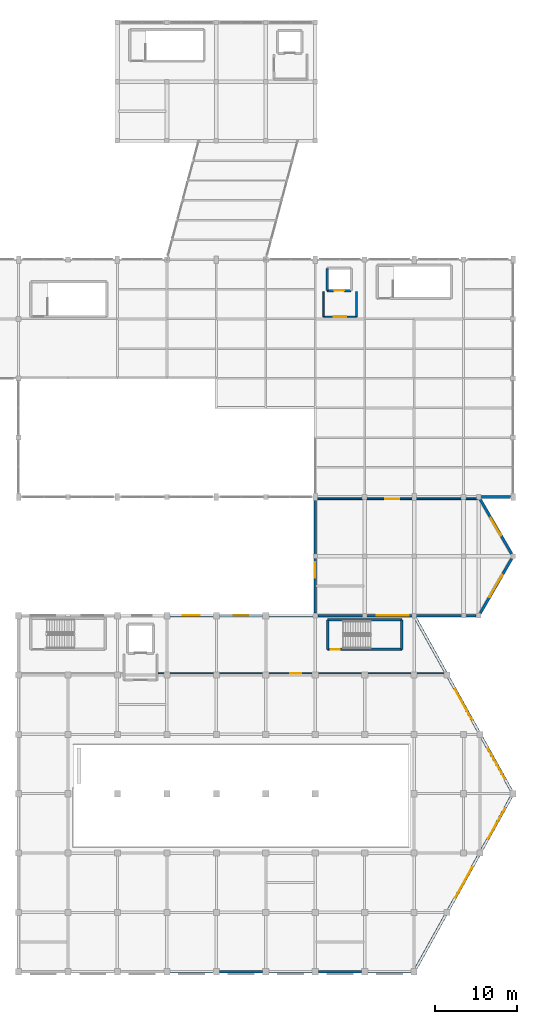
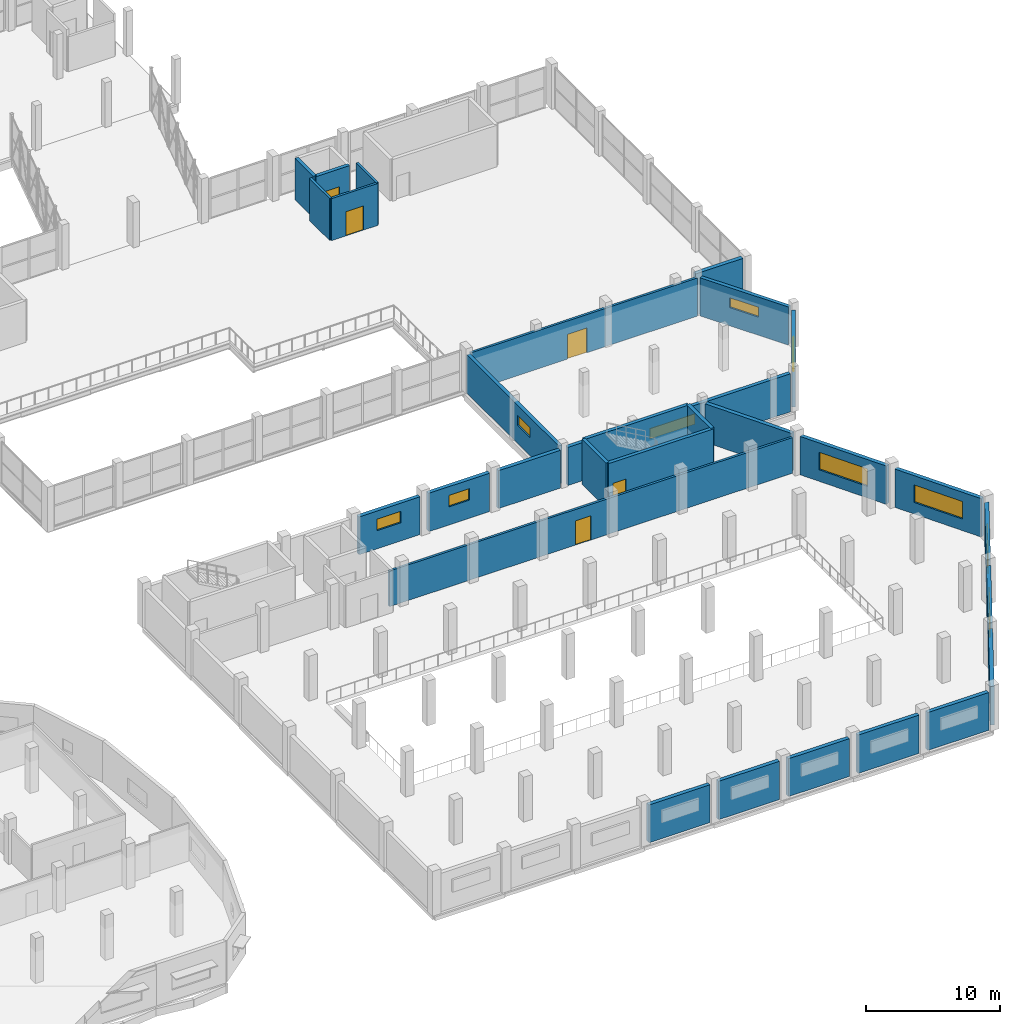
# One storey, part 111 of 127: 30 walls, 10 windows, 5 doors, 15 openings.
"""IFC4 building model written with IfcOpenShell, lengths in metres."""

from ifc_helpers import new_model, si_unit, direction, frame, frame_2d, origin, place, context, subcontext, project, spatial, rectangle, extrude, material, layer, layer_set, type_object, element, fill, save


model = new_model("IFC4")

# Units and contexts
model_context = context("Model", 3, precision=1e-05, world=origin(), true_north=direction((0.0, 1.0)))
body_context = subcontext(model_context, "Body", "Model", "MODEL_VIEW")
ifc_project = project(units=[si_unit("LENGTHUNIT", "METRE"), si_unit("AREAUNIT", "SQUARE_METRE"), si_unit("VOLUMEUNIT", "CUBIC_METRE"), si_unit("PLANEANGLEUNIT", "RADIAN"), si_unit("MASSUNIT", "GRAM", prefix="KILO")], contexts=[model_context])

# Site, building, storey
site_placement = place(None, origin())
site = spatial("IfcSite", under=ifc_project, at=site_placement, CompositionType="ELEMENT")
building_placement = place(site_placement, origin())
building = spatial("IfcBuilding", under=site, at=building_placement, Name="Dunvalen Ferry Terminal", CompositionType="ELEMENT")
storey_placement = place(building_placement, frame((0.0, 0.0, 5.760009765625)))
storey = spatial("IfcBuildingStorey", under=building, at=storey_placement, Name="L01", CompositionType="ELEMENT", Elevation=5.760009765625)

# Wall, opening, window
ifc_material_1 = material(Name="Precast concrete C40/50", Category="concrete")
ifc_layer_1 = layer(ifc_material_1, 0.31005859375, Name="Precast concrete C40/50")
ifc_layer_set_1 = layer_set([ifc_layer_1], Name="Precast concrete C40/50")
wall_type_1 = type_object("IfcWallType", Name="ENV-WL-ANX310", PredefinedType="SOLIDWALL", material=ifc_layer_set_1)
wall_1_placement = place(storey_placement, frame((144.35009765625, 43.199951171875, 0.0), z_axis=(0.0, 0.0, 1.0), x_axis=(1.0, 0.0, 0.0)))
wall_1 = element("IfcWall", 1, at=wall_1_placement, inside=storey, type_object=wall_type_1, Name="L01 V2ASE Faceted Precast Wall 01", PredefinedType="SOLIDWALL", context=body_context, shape_type="SweptSolid", body=[
    extrude(rectangle(XDim=19.14306640625, YDim=0.31005859375, at=frame_2d((9.571533203125, 0.0))), origin(), (0.0, 0.0, 1.0), 3.469970703125),
])
opening_1_placement = place(wall_1_placement, frame((7.121337890625, 0.0, 1.64990234375)))
opening_1 = element("IfcOpeningElement", 2, at=opening_1_placement, cuts=wall_1, Name="Opening W-13", PredefinedType="OPENING", context=body_context, shape_type="SweptSolid", body=[
    extrude(rectangle(XDim=3.89990234375, YDim=0.949951171875, at=frame_2d((1.949951171875, 0.47509765625))), frame((0.0, 0.1650390625, 0.0), z_axis=(0.0, -1.0, 0.0), x_axis=(1.0, 0.0, 0.0)), (0.0, 0.0, 1.0), 0.330078125),
])
ifc_material_2 = material(Name="Thermally broken aluminium and double glazing", Category="aluminium")
window_type_1 = type_object("IfcWindowType", Name="ENV-WIN-CLR-13", PartitioningType="SINGLE_PANEL", PredefinedType="WINDOW", material=ifc_material_2)
window_1_placement = place(opening_1_placement, origin())
window_1 = element("IfcWindow", 3, at=window_1_placement, inside=storey, type_object=window_type_1, Name="L01 V2ASE Clerestory Window 01", OverallHeight=0.949951171875, OverallWidth=3.89990234375, PartitioningType="SINGLE_PANEL", PredefinedType="WINDOW", context=body_context, shape_type="SweptSolid", body=[
    extrude(rectangle(XDim=3.89990234375, YDim=0.949951171875, at=frame_2d((1.949951171875, 0.47509765625))), frame((0.0, 0.030029296875, 0.0), z_axis=(0.0, -1.0, 0.0), x_axis=(1.0, 0.0, 0.0)), (0.0, 0.0, 1.0), 0.06005859375),
])
fill(opening_1, window_1)

wall_2_placement = place(storey_placement, frame((164.01806640625, 43.503173828125, 0.0), z_axis=(0.0, 0.0, 1.0), x_axis=(0.499998170572, 0.866026460002, 0.0)))
wall_2 = element("IfcWall", 4, at=wall_2_placement, inside=storey, type_object=wall_type_1, Name="L01 V2ASE Faceted Precast Wall 02", PredefinedType="SOLIDWALL", context=body_context, shape_type="SweptSolid", body=[
    extrude(rectangle(XDim=7.61376953125, YDim=0.31005859375, at=frame_2d((3.806884765625, 0.0))), origin(), (0.0, 0.0, 1.0), 3.469970703125),
])
opening_2_placement = place(wall_2_placement, frame((2.2568359375, 0.0, 1.64990234375)))
opening_2 = element("IfcOpeningElement", 5, at=opening_2_placement, cuts=wall_2, Name="Opening W-14", PredefinedType="OPENING", context=body_context, shape_type="SweptSolid", body=[
    extrude(rectangle(XDim=3.10009765625, YDim=0.949951171875, at=frame_2d((1.550048828125, 0.47509765625))), frame((0.0, 0.1650390625, 0.0), z_axis=(0.0, -1.0, 0.0), x_axis=(1.0, 0.0, 0.0)), (0.0, 0.0, 1.0), 0.330078125),
])
window_type_2 = type_object("IfcWindowType", Name="ENV-WIN-CLR-14", PartitioningType="SINGLE_PANEL", PredefinedType="WINDOW", material=ifc_material_2)
window_2_placement = place(opening_2_placement, origin())
window_2 = element("IfcWindow", 6, at=window_2_placement, inside=storey, type_object=window_type_2, Name="L01 V2ASE Clerestory Window 02", OverallHeight=0.949951171875, OverallWidth=3.10009765625, PartitioningType="SINGLE_PANEL", PredefinedType="WINDOW", context=body_context, shape_type="SweptSolid", body=[
    extrude(rectangle(XDim=3.10009765625, YDim=0.949951171875, at=frame_2d((1.550048828125, 0.47509765625))), frame((0.0, 0.030029296875, 0.0), z_axis=(0.0, -1.0, 0.0), x_axis=(1.0, 0.0, 0.0)), (0.0, 0.0, 1.0), 0.06005859375),
])
fill(opening_2, window_2)

wall_3_placement = place(storey_placement, frame((167.824951171875, 50.703125, 0.0), z_axis=(0.0, 0.0, 1.0), x_axis=(-0.499998170572, 0.866026460002, 0.0)))
wall_3 = element("IfcWall", 7, at=wall_3_placement, inside=storey, type_object=wall_type_1, Name="L01 V2ASE Faceted Precast Wall 03", PredefinedType="SOLIDWALL", context=body_context, shape_type="SweptSolid", body=[
    extrude(rectangle(XDim=7.61376953125, YDim=0.31005859375, at=frame_2d((3.806884765625, 0.0))), origin(), (0.0, 0.0, 1.0), 3.469970703125),
])
opening_3_placement = place(wall_3_placement, frame((2.556884765625, 0.0, 1.64990234375)))
opening_3 = element("IfcOpeningElement", 8, at=opening_3_placement, cuts=wall_3, Name="Opening W-15", PredefinedType="OPENING", context=body_context, shape_type="SweptSolid", body=[
    extrude(rectangle(XDim=2.5, YDim=0.89990234375, at=frame_2d((1.25, 0.449951171875))), frame((0.0, 0.1650390625, 0.0), z_axis=(0.0, -1.0, 0.0), x_axis=(1.0, 0.0, 0.0)), (0.0, 0.0, 1.0), 0.330078125),
])
window_type_3 = type_object("IfcWindowType", Name="ENV-WIN-CLR-15", PartitioningType="SINGLE_PANEL", PredefinedType="WINDOW", material=ifc_material_2)
window_3_placement = place(opening_3_placement, origin())
window_3 = element("IfcWindow", 9, at=window_3_placement, inside=storey, type_object=window_type_3, Name="L01 V2ASE Clerestory Window 03", OverallHeight=0.89990234375, OverallWidth=2.5, PartitioningType="SINGLE_PANEL", PredefinedType="WINDOW", context=body_context, shape_type="SweptSolid", body=[
    extrude(rectangle(XDim=2.5, YDim=0.89990234375, at=frame_2d((1.25, 0.449951171875))), frame((0.0, 0.030029296875, 0.0), z_axis=(0.0, -1.0, 0.0), x_axis=(1.0, 0.0, 0.0)), (0.0, 0.0, 1.0), 0.06005859375),
])
fill(opening_3, window_3)

wall_4_placement = place(storey_placement, frame((144.0, 57.25, 0.0), z_axis=(0.0, 0.0, 1.0), x_axis=(0.0, -1.0, 0.0)))
wall_4 = element("IfcWall", 10, at=wall_4_placement, inside=storey, type_object=wall_type_1, Name="L01 V2ASE Faceted Precast Wall 05", PredefinedType="SOLIDWALL", context=body_context, shape_type="SweptSolid", body=[
    extrude(rectangle(XDim=13.699951171875, YDim=0.31005859375, at=frame_2d((6.85009765625, 0.0))), origin(), (0.0, 0.0, 1.0), 3.469970703125),
])
opening_4_placement = place(wall_4_placement, frame((7.558837890625, 0.0, 1.64990234375)))
opening_4 = element("IfcOpeningElement", 11, at=opening_4_placement, cuts=wall_4, Name="Opening W-16", PredefinedType="OPENING", context=body_context, shape_type="SweptSolid", body=[
    extrude(rectangle(XDim=1.89990234375, YDim=0.89990234375, at=frame_2d((0.949951171875, 0.449951171875))), frame((0.0, 0.1650390625, 0.0), z_axis=(0.0, -1.0, 0.0), x_axis=(1.0, 0.0, 0.0)), (0.0, 0.0, 1.0), 0.330078125),
])
window_type_4 = type_object("IfcWindowType", Name="ENV-WIN-CLR-16", PartitioningType="SINGLE_PANEL", PredefinedType="WINDOW", material=ifc_material_2)
window_4_placement = place(opening_4_placement, origin())
window_4 = element("IfcWindow", 12, at=window_4_placement, inside=storey, type_object=window_type_4, Name="L01 V2ASE Clerestory Window 05", OverallHeight=0.89990234375, OverallWidth=1.89990234375, PartitioningType="SINGLE_PANEL", PredefinedType="WINDOW", context=body_context, shape_type="SweptSolid", body=[
    extrude(rectangle(XDim=1.89990234375, YDim=0.89990234375, at=frame_2d((0.949951171875, 0.449951171875))), frame((0.0, 0.030029296875, 0.0), z_axis=(0.0, -1.0, 0.0), x_axis=(1.0, 0.0, 0.0)), (0.0, 0.0, 1.0), 0.06005859375),
])
fill(opening_4, window_4)

# Walls
ifc_layer_2 = layer(ifc_material_1, 0.340087890625, Name="Precast concrete C40/50")
ifc_layer_set_2 = layer_set([ifc_layer_2], Name="Precast concrete C40/50")
wall_type_2 = type_object("IfcWallType", Name="ENV-WL-SPN340", PredefinedType="SOLIDWALL", material=ifc_layer_set_2)
wall_5_placement = place(storey_placement, frame((163.64990234375, 57.60009765625, 0.0), z_axis=(0.0, 0.0, 1.0), x_axis=(1.0, 0.0, 0.0)))
element("IfcWall", 13, at=wall_5_placement, inside=storey, type_object=wall_type_2, Name="L01 Arrivals Mezzanine South-East Spandrel Closure Wall", PredefinedType="SOLIDWALL", context=body_context, shape_type="SweptSolid", body=[
    extrude(rectangle(XDim=4.070068359375, YDim=0.340087890625, at=frame_2d((2.03515625, 0.0))), origin(), (0.0, 0.0, 1.0), 3.760009765625),
])
ifc_material_3 = material(Name="Concrete C40/50", Category="concrete")
ifc_layer_3 = layer(ifc_material_3, 0.330078125, Name="Concrete C40/50")
ifc_layer_set_3 = layer_set([ifc_layer_3], Name="Concrete C40/50")
wall_type_3 = type_object("IfcWallType", Name="ENV-WL-VEH330", PredefinedType="SOLIDWALL", material=ifc_layer_set_3)
wall_6_placement = place(storey_placement, frame((126.376953125, 0.0, 0.0), z_axis=(0.0, 0.0, 1.0), x_axis=(1.0, 0.0, 0.0)))
element("IfcWall", 14, at=wall_6_placement, inside=storey, type_object=wall_type_3, Name="L01 Vehicle Marshalling South Portal Wall 04", PredefinedType="SOLIDWALL", context=body_context, shape_type="SweptSolid", body=[
    extrude(rectangle(XDim=5.24609375, YDim=0.330078125, at=frame_2d((2.623046875, 0.0))), origin(), (0.0, 0.0, 1.0), 3.43994140625),
])
wall_7_placement = place(storey_placement, frame((132.376953125, 0.0, 0.0), z_axis=(0.0, 0.0, 1.0), x_axis=(1.0, 0.0, 0.0)))
element("IfcWall", 15, at=wall_7_placement, inside=storey, type_object=wall_type_3, Name="L01 Vehicle Marshalling South Portal Wall 05", PredefinedType="SOLIDWALL", context=body_context, shape_type="SweptSolid", body=[
    extrude(rectangle(XDim=5.24609375, YDim=0.330078125, at=frame_2d((2.623046875, 0.0))), origin(), (0.0, 0.0, 1.0), 3.489990234375),
])
wall_8_placement = place(storey_placement, frame((138.376953125, 0.0, 0.0), z_axis=(0.0, 0.0, 1.0), x_axis=(1.0, 0.0, 0.0)))
element("IfcWall", 16, at=wall_8_placement, inside=storey, type_object=wall_type_3, Name="L01 Vehicle Marshalling South Portal Wall 06", PredefinedType="SOLIDWALL", context=body_context, shape_type="SweptSolid", body=[
    extrude(rectangle(XDim=5.24609375, YDim=0.330078125, at=frame_2d((2.623046875, 0.0))), origin(), (0.0, 0.0, 1.0), 3.43994140625),
])
wall_9_placement = place(storey_placement, frame((144.376953125, 0.0, 0.0), z_axis=(0.0, 0.0, 1.0), x_axis=(1.0, 0.0, 0.0)))
element("IfcWall", 17, at=wall_9_placement, inside=storey, type_object=wall_type_3, Name="L01 Vehicle Marshalling South Portal Wall 07", PredefinedType="SOLIDWALL", context=body_context, shape_type="SweptSolid", body=[
    extrude(rectangle(XDim=5.24609375, YDim=0.330078125, at=frame_2d((2.623046875, 0.0))), origin(), (0.0, 0.0, 1.0), 3.489990234375),
])
wall_10_placement = place(storey_placement, frame((150.376953125, 0.0, 0.0), z_axis=(0.0, 0.0, 1.0), x_axis=(1.0, 0.0, 0.0)))
element("IfcWall", 18, at=wall_10_placement, inside=storey, type_object=wall_type_3, Name="L01 Vehicle Marshalling South Portal Wall 08", PredefinedType="SOLIDWALL", context=body_context, shape_type="SweptSolid", body=[
    extrude(rectangle(XDim=5.24609375, YDim=0.330078125, at=frame_2d((2.623046875, 0.0))), origin(), (0.0, 0.0, 1.0), 3.43994140625),
])
wall_11_placement = place(storey_placement, frame((156.1748046875, 0.314697265625, 0.0), z_axis=(0.0, 0.0, 1.0), x_axis=(0.485651204539, 0.874152679759, 0.0)))
element("IfcWall", 19, at=wall_11_placement, inside=storey, type_object=wall_type_3, Name="L01 Hexagon-Cut Service Wing East Facet Wall 01", PredefinedType="SOLIDWALL", context=body_context, shape_type="SweptSolid", body=[
    extrude(rectangle(XDim=7.5166015625, YDim=0.330078125, at=frame_2d((3.75830078125, 0.0))), origin(), (0.0, 0.0, 1.0), 3.489990234375),
])

# Wall, opening, window
wall_12_placement = place(storey_placement, frame((160.1748046875, 7.5146484375, 0.0), z_axis=(0.0, 0.0, 1.0), x_axis=(0.485651204539, 0.874152679759, 0.0)))
wall_12 = element("IfcWall", 20, at=wall_12_placement, inside=storey, type_object=wall_type_3, Name="L01 Hexagon-Cut Service Wing East Facet Wall 02", PredefinedType="SOLIDWALL", context=body_context, shape_type="SweptSolid", body=[
    extrude(rectangle(XDim=7.5166015625, YDim=0.330078125, at=frame_2d((3.75830078125, 0.0))), origin(), (0.0, 0.0, 1.0), 3.489990234375),
])
opening_5_placement = place(wall_12_placement, frame((1.658203125, 0.0, 1.050048828125)))
opening_5 = element("IfcOpeningElement", 21, at=opening_5_placement, cuts=wall_12, Name="Opening W-01", PredefinedType="OPENING", context=body_context, shape_type="SweptSolid", body=[
    extrude(rectangle(XDim=4.199951171875, YDim=1.60009765625, at=frame_2d((2.10009765625, 0.800048828125))), frame((0.0, 0.175048828125, 0.0), z_axis=(0.0, -1.0, 0.0), x_axis=(1.0, 0.0, 0.0)), (0.0, 0.0, 1.0), 0.35009765625),
])
window_type_5 = type_object("IfcWindowType", Name="ENV-WIN-RIB-01", PartitioningType="SINGLE_PANEL", PredefinedType="WINDOW", material=ifc_material_2)
window_5_placement = place(opening_5_placement, origin())
window_5 = element("IfcWindow", 22, at=window_5_placement, inside=storey, type_object=window_type_5, Name="L01 Hexagon-Cut Service Wing Window 02", OverallHeight=1.60009765625, OverallWidth=4.199951171875, PartitioningType="SINGLE_PANEL", PredefinedType="WINDOW", context=body_context, shape_type="SweptSolid", body=[
    extrude(rectangle(XDim=4.199951171875, YDim=1.60009765625, at=frame_2d((2.10009765625, 0.800048828125))), frame((0.0, 0.030029296875, 0.0), z_axis=(0.0, -1.0, 0.0), x_axis=(1.0, 0.0, 0.0)), (0.0, 0.0, 1.0), 0.06005859375),
])
fill(opening_5, window_5)

wall_13_placement = place(storey_placement, frame((164.1748046875, 14.714599609375, 0.0), z_axis=(0.0, 0.0, 1.0), x_axis=(0.485637415738, 0.874160340233, 0.0)))
wall_13 = element("IfcWall", 23, at=wall_13_placement, inside=storey, type_object=wall_type_3, Name="L01 Hexagon-Cut Service Wing East Facet Wall 03", PredefinedType="SOLIDWALL", context=body_context, shape_type="SweptSolid", body=[
    extrude(rectangle(XDim=7.5166015625, YDim=0.330078125, at=frame_2d((3.75830078125, 0.0))), origin(), (0.0, 0.0, 1.0), 3.489990234375),
])
opening_6_placement = place(wall_13_placement, frame((1.658203125, 0.0, 1.050048828125)))
opening_6 = element("IfcOpeningElement", 24, at=opening_6_placement, cuts=wall_13, Name="Opening W-01", PredefinedType="OPENING", context=body_context, shape_type="SweptSolid", body=[
    extrude(rectangle(XDim=4.199951171875, YDim=1.60009765625, at=frame_2d((2.10009765625, 0.800048828125))), frame((0.0, 0.175048828125, 0.0), z_axis=(0.0, -1.0, 0.0), x_axis=(1.0, 0.0, 0.0)), (0.0, 0.0, 1.0), 0.35009765625),
])
window_6_placement = place(opening_6_placement, origin())
window_6 = element("IfcWindow", 25, at=window_6_placement, inside=storey, type_object=window_type_5, Name="L01 Hexagon-Cut Service Wing Window 03", OverallHeight=1.60009765625, OverallWidth=4.199951171875, PartitioningType="SINGLE_PANEL", PredefinedType="WINDOW", context=body_context, shape_type="SweptSolid", body=[
    extrude(rectangle(XDim=4.199951171875, YDim=1.60009765625, at=frame_2d((2.10009765625, 0.800048828125))), frame((0.0, 0.030029296875, 0.0), z_axis=(0.0, -1.0, 0.0), x_axis=(1.0, 0.0, 0.0)), (0.0, 0.0, 1.0), 0.06005859375),
])
fill(opening_6, window_6)

wall_14_placement = place(storey_placement, frame((167.8251953125, 21.914794921875, 0.0), z_axis=(0.0, 0.0, 1.0), x_axis=(-0.485651204539, 0.874152679759, 0.0)))
wall_14 = element("IfcWall", 26, at=wall_14_placement, inside=storey, type_object=wall_type_3, Name="L01 Hexagon-Cut Service Wing East Facet Wall 04", PredefinedType="SOLIDWALL", context=body_context, shape_type="SweptSolid", body=[
    extrude(rectangle(XDim=7.5166015625, YDim=0.330078125, at=frame_2d((3.75830078125, 0.0))), origin(), (0.0, 0.0, 1.0), 3.489990234375),
])
opening_7_placement = place(wall_14_placement, frame((1.658203125, 0.0, 1.050048828125)))
opening_7 = element("IfcOpeningElement", 27, at=opening_7_placement, cuts=wall_14, Name="Opening W-01", PredefinedType="OPENING", context=body_context, shape_type="SweptSolid", body=[
    extrude(rectangle(XDim=4.199951171875, YDim=1.60009765625, at=frame_2d((2.10009765625, 0.800048828125))), frame((0.0, 0.175048828125, 0.0), z_axis=(0.0, -1.0, 0.0), x_axis=(1.0, 0.0, 0.0)), (0.0, 0.0, 1.0), 0.35009765625),
])
window_7_placement = place(opening_7_placement, origin())
window_7 = element("IfcWindow", 28, at=window_7_placement, inside=storey, type_object=window_type_5, Name="L01 Hexagon-Cut Service Wing Window 04", OverallHeight=1.60009765625, OverallWidth=4.199951171875, PartitioningType="SINGLE_PANEL", PredefinedType="WINDOW", context=body_context, shape_type="SweptSolid", body=[
    extrude(rectangle(XDim=4.199951171875, YDim=1.60009765625, at=frame_2d((2.10009765625, 0.800048828125))), frame((0.0, 0.030029296875, 0.0), z_axis=(0.0, -1.0, 0.0), x_axis=(1.0, 0.0, 0.0)), (0.0, 0.0, 1.0), 0.06005859375),
])
fill(opening_7, window_7)

wall_15_placement = place(storey_placement, frame((163.8251953125, 29.11474609375, 0.0), z_axis=(0.0, 0.0, 1.0), x_axis=(-0.485651204539, 0.874152679759, 0.0)))
wall_15 = element("IfcWall", 29, at=wall_15_placement, inside=storey, type_object=wall_type_3, Name="L01 Hexagon-Cut Service Wing East Facet Wall 05", PredefinedType="SOLIDWALL", context=body_context, shape_type="SweptSolid", body=[
    extrude(rectangle(XDim=7.5166015625, YDim=0.330078125, at=frame_2d((3.75830078125, 0.0))), origin(), (0.0, 0.0, 1.0), 3.489990234375),
])
opening_8_placement = place(wall_15_placement, frame((1.658203125, 0.0, 1.050048828125)))
opening_8 = element("IfcOpeningElement", 30, at=opening_8_placement, cuts=wall_15, Name="Opening W-01", PredefinedType="OPENING", context=body_context, shape_type="SweptSolid", body=[
    extrude(rectangle(XDim=4.199951171875, YDim=1.60009765625, at=frame_2d((2.10009765625, 0.800048828125))), frame((0.0, 0.175048828125, 0.0), z_axis=(0.0, -1.0, 0.0), x_axis=(1.0, 0.0, 0.0)), (0.0, 0.0, 1.0), 0.35009765625),
])
window_8_placement = place(opening_8_placement, origin())
window_8 = element("IfcWindow", 31, at=window_8_placement, inside=storey, type_object=window_type_5, Name="L01 Hexagon-Cut Service Wing Window 05", OverallHeight=1.60009765625, OverallWidth=4.199951171875, PartitioningType="SINGLE_PANEL", PredefinedType="WINDOW", context=body_context, shape_type="SweptSolid", body=[
    extrude(rectangle(XDim=4.199951171875, YDim=1.60009765625, at=frame_2d((2.10009765625, 0.800048828125))), frame((0.0, 0.030029296875, 0.0), z_axis=(0.0, -1.0, 0.0), x_axis=(1.0, 0.0, 0.0)), (0.0, 0.0, 1.0), 0.06005859375),
])
fill(opening_8, window_8)

# Wall
wall_16_placement = place(storey_placement, frame((159.8251953125, 36.314697265625, 0.0), z_axis=(0.0, 0.0, 1.0), x_axis=(-0.485651204539, 0.874152679759, 0.0)))
element("IfcWall", 32, at=wall_16_placement, inside=storey, type_object=wall_type_3, Name="L01 Hexagon-Cut Service Wing East Facet Wall 06", PredefinedType="SOLIDWALL", context=body_context, shape_type="SweptSolid", body=[
    extrude(rectangle(XDim=7.5166015625, YDim=0.330078125, at=frame_2d((3.75830078125, 0.0))), origin(), (0.0, 0.0, 1.0), 3.489990234375),
])

# Wall, opening, window
wall_17_placement = place(storey_placement, frame((126.376953125, 43.199951171875, 0.0), z_axis=(0.0, 0.0, 1.0), x_axis=(1.0, 0.0, 0.0)))
wall_17 = element("IfcWall", 33, at=wall_17_placement, inside=storey, type_object=wall_type_3, Name="L01 SPS Inspection North Wall 04", PredefinedType="SOLIDWALL", context=body_context, shape_type="SweptSolid", body=[
    extrude(rectangle(XDim=5.24609375, YDim=0.330078125, at=frame_2d((2.623046875, 0.0))), origin(), (0.0, 0.0, 1.0), 3.43994140625),
])
opening_9_placement = place(wall_17_placement, frame((1.546875, 0.0, 1.64990234375)))
opening_9 = element("IfcOpeningElement", 34, at=opening_9_placement, cuts=wall_17, Name="Opening W-48", PredefinedType="OPENING", context=body_context, shape_type="SweptSolid", body=[
    extrude(rectangle(XDim=2.050048828125, YDim=1.050048828125, at=frame_2d((1.02490234375, 0.52490234375))), frame((0.0, 0.175048828125, 0.0), z_axis=(0.0, -1.0, 0.0), x_axis=(1.0, 0.0, 0.0)), (0.0, 0.0, 1.0), 0.35009765625),
])
window_type_6 = type_object("IfcWindowType", Name="ENV-WIN-SPS-48", PartitioningType="SINGLE_PANEL", PredefinedType="WINDOW", material=ifc_material_2)
window_9_placement = place(opening_9_placement, origin())
window_9 = element("IfcWindow", 35, at=window_9_placement, inside=storey, type_object=window_type_6, Name="L01 SPS Inspection Clerestory Window 4", OverallHeight=1.050048828125, OverallWidth=2.050048828125, PartitioningType="SINGLE_PANEL", PredefinedType="WINDOW", context=body_context, shape_type="SweptSolid", body=[
    extrude(rectangle(XDim=2.050048828125, YDim=1.050048828125, at=frame_2d((1.02490234375, 0.52490234375))), frame((0.0, 0.030029296875, 0.0), z_axis=(0.0, -1.0, 0.0), x_axis=(1.0, 0.0, 0.0)), (0.0, 0.0, 1.0), 0.06005859375),
])
fill(opening_9, window_9)

wall_18_placement = place(storey_placement, frame((132.376953125, 43.199951171875, 0.0), z_axis=(0.0, 0.0, 1.0), x_axis=(1.0, 0.0, 0.0)))
wall_18 = element("IfcWall", 36, at=wall_18_placement, inside=storey, type_object=wall_type_3, Name="L01 SPS Inspection North Wall 05", PredefinedType="SOLIDWALL", context=body_context, shape_type="SweptSolid", body=[
    extrude(rectangle(XDim=5.24609375, YDim=0.330078125, at=frame_2d((2.623046875, 0.0))), origin(), (0.0, 0.0, 1.0), 3.489990234375),
])
opening_10_placement = place(wall_18_placement, frame((1.748046875, 0.0, 1.64990234375)))
opening_10 = element("IfcOpeningElement", 37, at=opening_10_placement, cuts=wall_18, Name="Opening W-49", PredefinedType="OPENING", context=body_context, shape_type="SweptSolid", body=[
    extrude(rectangle(XDim=1.75, YDim=1.050048828125, at=frame_2d((0.875, 0.52490234375))), frame((0.0, 0.175048828125, 0.0), z_axis=(0.0, -1.0, 0.0), x_axis=(1.0, 0.0, 0.0)), (0.0, 0.0, 1.0), 0.35009765625),
])
window_type_7 = type_object("IfcWindowType", Name="ENV-WIN-SPS-49", PartitioningType="SINGLE_PANEL", PredefinedType="WINDOW", material=ifc_material_2)
window_10_placement = place(opening_10_placement, origin())
window_10 = element("IfcWindow", 38, at=window_10_placement, inside=storey, type_object=window_type_7, Name="L01 SPS Inspection Clerestory Window 5", OverallHeight=1.050048828125, OverallWidth=1.75, PartitioningType="SINGLE_PANEL", PredefinedType="WINDOW", context=body_context, shape_type="SweptSolid", body=[
    extrude(rectangle(XDim=1.75, YDim=1.050048828125, at=frame_2d((0.875, 0.52490234375))), frame((0.0, 0.030029296875, 0.0), z_axis=(0.0, -1.0, 0.0), x_axis=(1.0, 0.0, 0.0)), (0.0, 0.0, 1.0), 0.06005859375),
])
fill(opening_10, window_10)

# Walls
wall_19_placement = place(storey_placement, frame((138.376953125, 43.199951171875, 0.0), z_axis=(0.0, 0.0, 1.0), x_axis=(1.0, 0.0, 0.0)))
element("IfcWall", 39, at=wall_19_placement, inside=storey, type_object=wall_type_3, Name="L01 SPS Inspection North Wall 06", PredefinedType="SOLIDWALL", context=body_context, shape_type="SweptSolid", body=[
    extrude(rectangle(XDim=5.345947265625, YDim=0.330078125, at=frame_2d((2.6728515625, 0.0))), origin(), (0.0, 0.0, 1.0), 3.43994140625),
])
ifc_material_4 = material(Name="Autoclaved aerated concrete blockwork", Category="masonry")
ifc_layer_4 = layer(ifc_material_4, 0.199951171875, Name="Autoclaved aerated concrete blockwork")
ifc_layer_set_4 = layer_set([ifc_layer_4], Name="Autoclaved aerated concrete blockwork")
wall_type_4 = type_object("IfcWallType", Name="INT-WL-CMP200", PredefinedType="PARTITIONING", material=ifc_layer_set_4)
wall_20_placement = place(storey_placement, frame((144.989990234375, 82.510009765625, 0.0), z_axis=(0.0, 0.0, 1.0), x_axis=(0.0, -1.0, 0.0)))
element("IfcWall", 40, at=wall_20_placement, inside=storey, type_object=wall_type_4, Name="L01 L01 Lift Lobby LP-02 Partition 1", PredefinedType="PARTITIONING", context=body_context, shape_type="SweptSolid", body=[
    extrude(rectangle(XDim=3.02001953125, YDim=0.199951171875, at=frame_2d((1.510009765625, 0.0))), origin(), (0.0, 0.0, 1.0), 3.820068359375),
])

# Wall, opening, door
wall_21_placement = place(storey_placement, frame((144.989990234375, 79.489990234375, 0.0), z_axis=(0.0, 0.0, 1.0), x_axis=(1.0, 0.0, 0.0)))
wall_21 = element("IfcWall", 41, at=wall_21_placement, inside=storey, type_object=wall_type_4, Name="L01 L01 Lift Lobby LP-02 Partition 2", PredefinedType="PARTITIONING", context=body_context, shape_type="SweptSolid", body=[
    extrude(rectangle(XDim=4.02001953125, YDim=0.199951171875, at=frame_2d((2.010009765625, 0.0))), origin(), (0.0, 0.0, 1.0), 3.820068359375),
])
opening_11_placement = place(wall_21_placement, frame((1.260009765625, 0.0, 0.0)))
opening_11 = element("IfcOpeningElement", 42, at=opening_11_placement, cuts=wall_21, Name="Opening ID-04", PredefinedType="OPENING", context=body_context, shape_type="SweptSolid", body=[
    extrude(rectangle(XDim=1.5, YDim=2.199951171875, at=frame_2d((0.75, 1.10009765625))), frame((0.0, 0.10986328125, 0.0), z_axis=(0.0, -1.0, 0.0), x_axis=(1.0, 0.0, 0.0)), (0.0, 0.0, 1.0), 0.219970703125),
])
ifc_material_5 = material(Name="Anodised aluminium glazed fire door", Category="aluminium")
door_type_1 = type_object("IfcDoorType", Name="INT-DR-LOB-1500", OperationType="DOUBLE_SWING_LEFT", PredefinedType="DOOR", material=ifc_material_5)
door_1_placement = place(opening_11_placement, origin())
door_1 = element("IfcDoor", 43, at=door_1_placement, inside=storey, type_object=door_type_1, Name="L01 Lift Lobby LP-02 Door", OperationType="DOUBLE_SWING_LEFT", OverallHeight=2.199951171875, OverallWidth=1.5, PredefinedType="DOOR", context=body_context, shape_type="SweptSolid", body=[
    extrude(rectangle(XDim=1.5, YDim=2.199951171875, at=frame_2d((0.75, 1.10009765625))), frame((0.0, 0.02490234375, 0.0), z_axis=(0.0, -1.0, 0.0), x_axis=(1.0, 0.0, 0.0)), (0.0, 0.0, 1.0), 0.050048828125),
])
fill(opening_11, door_1)

# Wall
wall_22_placement = place(storey_placement, frame((149.010009765625, 79.489990234375, 0.0), z_axis=(0.0, 0.0, 1.0), x_axis=(0.0, 1.0, 0.0)))
element("IfcWall", 44, at=wall_22_placement, inside=storey, type_object=wall_type_4, Name="L01 L01 Lift Lobby LP-02 Partition 3", PredefinedType="PARTITIONING", context=body_context, shape_type="SweptSolid", body=[
    extrude(rectangle(XDim=3.02001953125, YDim=0.199951171875, at=frame_2d((1.510009765625, 0.0))), origin(), (0.0, 0.0, 1.0), 3.820068359375),
])

# Wall, opening, door
wall_23_placement = place(storey_placement, frame((163.716064453125, 57.3798828125, 0.0), z_axis=(0.0, 0.0, 1.0), x_axis=(-1.0, 0.0, 0.0)))
wall_23 = element("IfcWall", 45, at=wall_23_placement, inside=storey, type_object=wall_type_4, Name="L01 L01 Border Force Interview and Customs Suite Partition 5", PredefinedType="PARTITIONING", context=body_context, shape_type="SweptSolid", body=[
    extrude(rectangle(XDim=19.49609375, YDim=0.199951171875, at=frame_2d((9.748046875, 0.0))), origin(), (0.0, 0.0, 1.0), 3.469970703125),
])
opening_12_placement = place(wall_23_placement, frame((9.49853515625, 0.0, 0.0)))
opening_12 = element("IfcOpeningElement", 46, at=opening_12_placement, cuts=wall_23, Name="Opening ID-08", PredefinedType="OPENING", context=body_context, shape_type="SweptSolid", body=[
    extrude(rectangle(XDim=1.699951171875, YDim=2.25, at=frame_2d((0.85009765625, 1.125))), frame((0.0, 0.10986328125, 0.0), z_axis=(0.0, -1.0, 0.0), x_axis=(1.0, 0.0, 0.0)), (0.0, 0.0, 1.0), 0.219970703125),
])
ifc_material_6 = material(Name="Anodised aluminium glazed door", Category="aluminium")
door_type_2 = type_object("IfcDoorType", Name="INT-DR-CUS-1700", OperationType="DOUBLE_SWING_LEFT", PredefinedType="DOOR", material=ifc_material_6)
door_2_placement = place(opening_12_placement, origin())
door_2 = element("IfcDoor", 47, at=door_2_placement, inside=storey, type_object=door_type_2, Name="L01 Border Force Interview and Customs Suite Door", OperationType="DOUBLE_SWING_LEFT", OverallHeight=2.25, OverallWidth=1.699951171875, PredefinedType="DOOR", context=body_context, shape_type="SweptSolid", body=[
    extrude(rectangle(XDim=1.699951171875, YDim=2.25, at=frame_2d((0.85009765625, 1.125))), frame((0.0, 0.02490234375, 0.0), z_axis=(0.0, -1.0, 0.0), x_axis=(1.0, 0.0, 0.0)), (0.0, 0.0, 1.0), 0.050048828125),
])
fill(opening_12, door_2)

wall_24_placement = place(storey_placement, frame((124.969970703125, 36.159912109375, 0.0), z_axis=(0.0, 0.0, 1.0), x_axis=(1.0, 0.0, 0.0)))
wall_24 = element("IfcWall", 48, at=wall_24_placement, inside=storey, type_object=wall_type_4, Name="L01 L01 Upper Freight Customs and SPS Inspection Bays Partition 22", PredefinedType="PARTITIONING", context=body_context, shape_type="SweptSolid", body=[
    extrude(rectangle(XDim=34.689453125, YDim=0.199951171875, at=frame_2d((17.3447265625, 0.0))), origin(), (0.0, 0.0, 1.0), 3.239990234375),
])
opening_13_placement = place(wall_24_placement, frame((15.992431640625, 0.0, 0.0)))
opening_13 = element("IfcOpeningElement", 49, at=opening_13_placement, cuts=wall_24, Name="Opening ID-09", PredefinedType="OPENING", context=body_context, shape_type="SweptSolid", body=[
    extrude(rectangle(XDim=1.35009765625, YDim=2.199951171875, at=frame_2d((0.675048828125, 1.10009765625))), frame((0.0, 0.10986328125, 0.0), z_axis=(0.0, -1.0, 0.0), x_axis=(1.0, 0.0, 0.0)), (0.0, 0.0, 1.0), 0.219970703125),
])
ifc_material_7 = material(Name="Powder-coated steel fire door", Category="steel")
door_type_3 = type_object("IfcDoorType", Name="INT-DR-SPS-1350", OperationType="NOTDEFINED", PredefinedType="DOOR", material=ifc_material_7)
door_3_placement = place(opening_13_placement, origin())
door_3 = element("IfcDoor", 50, at=door_3_placement, inside=storey, type_object=door_type_3, Name="L01 Upper Freight Customs and SPS Inspection Bays Door", OperationType="SINGLE_SWING_LEFT", OverallHeight=2.199951171875, OverallWidth=1.35009765625, PredefinedType="DOOR", context=body_context, shape_type="SweptSolid", body=[
    extrude(rectangle(XDim=1.35009765625, YDim=2.199951171875, at=frame_2d((0.675048828125, 1.10009765625))), frame((0.0, 0.02490234375, 0.0), z_axis=(0.0, -1.0, 0.0), x_axis=(1.0, 0.0, 0.0)), (0.0, 0.0, 1.0), 0.050048828125),
])
fill(opening_13, door_3)

# Walls
ifc_layer_5 = layer(ifc_material_3, 0.300048828125, Name="Concrete C40/50")
ifc_layer_set_5 = layer_set([ifc_layer_5], Name="Concrete C40/50")
wall_type_5 = type_object("IfcWallType", Name="STR-WL-SHR300", PredefinedType="SHEAR", material=ifc_layer_set_5)
for number, where, z_axis, x_axis, name in (
    (51, (145.5, 39.10009765625, 0.0), (0.0, 0.0, 1.0), (0.0, 1.0, 0.0), "L01 ST6 Core West Shear Wall"),
    (52, (154.5, 39.10009765625, 0.0), (0.0, 0.0, 1.0), (0.0, 1.0, 0.0), "L01 ST6 Core East Shear Wall"),
):
    element("IfcWall", number, at=place(storey_placement, frame(where, z_axis=z_axis, x_axis=x_axis)), inside=storey, type_object=wall_type_5, Name=name, PredefinedType="SHEAR", context=body_context, shape_type="SweptSolid", body=[
        extrude(rectangle(XDim=3.599853515625, YDim=0.300048828125, at=frame_2d((1.7998046875, 0.0))), origin(), (0.0, 0.0, 1.0), 4.080078125),
    ])
wall_25_placement = place(storey_placement, frame((145.5, 42.699951171875, 0.0), z_axis=(0.0, 0.0, 1.0), x_axis=(1.0, 0.0, 0.0)))
element("IfcWall", 53, at=wall_25_placement, inside=storey, type_object=wall_type_5, Name="L01 ST6 Core North Shear Wall", PredefinedType="SHEAR", context=body_context, shape_type="SweptSolid", body=[
    extrude(rectangle(XDim=9.0, YDim=0.300048828125, at=frame_2d((4.5, 0.0))), origin(), (0.0, 0.0, 1.0), 4.080078125),
])

# Wall, opening, door
wall_26_placement = place(storey_placement, frame((145.5, 39.10009765625, 0.0), z_axis=(0.0, 0.0, 1.0), x_axis=(1.0, 0.0, 0.0)))
wall_26 = element("IfcWall", 54, at=wall_26_placement, inside=storey, type_object=wall_type_5, Name="L01 ST6 Core South Shear Wall", PredefinedType="SHEAR", context=body_context, shape_type="SweptSolid", body=[
    extrude(rectangle(XDim=9.0, YDim=0.300048828125, at=frame_2d((4.5, 0.0))), origin(), (0.0, 0.0, 1.0), 4.080078125),
])
opening_14_placement = place(wall_26_placement, frame((0.35009765625, 0.0, 0.0)))
opening_14 = element("IfcOpeningElement", 55, at=opening_14_placement, cuts=wall_26, Name="Opening ID-02", PredefinedType="OPENING", context=body_context, shape_type="SweptSolid", body=[
    extrude(rectangle(XDim=1.14990234375, YDim=2.14990234375, at=frame_2d((0.574951171875, 1.074951171875))), frame((0.0, 0.16015625, 0.0), z_axis=(0.0, -1.0, 0.0), x_axis=(1.0, 0.0, 0.0)), (0.0, 0.0, 1.0), 0.320068359375),
])
door_type_4 = type_object("IfcDoorType", Name="INT-DR-STR-1150", OperationType="NOTDEFINED", PredefinedType="DOOR", material=ifc_material_7)
door_4_placement = place(opening_14_placement, frame((1.14990234375, 0.0, 0.0), z_axis=(0.0, 0.0, 1.0), x_axis=(-1.0, 0.0, 0.0)))
door_4 = element("IfcDoor", 56, at=door_4_placement, inside=storey, type_object=door_type_4, Name="L01 ST6 Escape Stair Fire Door", OperationType="SINGLE_SWING_RIGHT", OverallHeight=2.14990234375, OverallWidth=1.14990234375, PredefinedType="DOOR", context=body_context, shape_type="SweptSolid", body=[
    extrude(rectangle(XDim=1.14990234375, YDim=2.14990234375, at=frame_2d((0.574951171875, 1.074951171875))), frame((0.0, 0.02490234375, 0.0), z_axis=(0.0, -1.0, 0.0), x_axis=(1.0, 0.0, 0.0)), (0.0, 0.0, 1.0), 0.050048828125),
])
fill(opening_14, door_4)

wall_27_placement = place(storey_placement, frame((145.449951171875, 82.64990234375, 0.0), z_axis=(0.0, 0.0, 1.0), x_axis=(1.0, 0.0, 0.0)))
wall_27 = element("IfcWall", 57, at=wall_27_placement, inside=storey, type_object=wall_type_5, Name="L01 LP-02 Lift Shaft S Wall", PredefinedType="SHEAR", context=body_context, shape_type="SweptSolid", body=[
    extrude(rectangle(XDim=2.900146484375, YDim=0.300048828125, at=frame_2d((1.4501953125, 0.0))), origin(), (0.0, 0.0, 1.0), 3.780029296875),
])
opening_15_placement = place(wall_27_placement, frame((0.85009765625, 0.0, 0.0)))
opening_15 = element("IfcOpeningElement", 58, at=opening_15_placement, cuts=wall_27, Name="Opening LD-02", PredefinedType="OPENING", context=body_context, shape_type="SweptSolid", body=[
    extrude(rectangle(XDim=1.199951171875, YDim=2.14990234375, at=frame_2d((0.60009765625, 1.074951171875))), frame((0.0, 0.16015625, 0.0), z_axis=(0.0, -1.0, 0.0), x_axis=(1.0, 0.0, 0.0)), (0.0, 0.0, 1.0), 0.320068359375),
])
ifc_material_8 = material(Name="Brushed 316 stainless steel", Category="steel")
door_type_5 = type_object("IfcDoorType", Name="INT-DR-LFT-1200", OperationType="SLIDING_TO_LEFT", PredefinedType="DOOR", material=ifc_material_8)
door_5_placement = place(opening_15_placement, origin())
door_5 = element("IfcDoor", 59, at=door_5_placement, inside=storey, type_object=door_type_5, Name="L01 LP-02 Lift Sliding Landing Door", OperationType="SLIDING_TO_LEFT", OverallHeight=2.14990234375, OverallWidth=1.199951171875, PredefinedType="DOOR", context=body_context, shape_type="SweptSolid", body=[
    extrude(rectangle(XDim=1.199951171875, YDim=2.14990234375, at=frame_2d((0.60009765625, 1.074951171875))), frame((0.0, 0.02490234375, 0.0), z_axis=(0.0, -1.0, 0.0), x_axis=(1.0, 0.0, 0.0)), (0.0, 0.0, 1.0), 0.050048828125),
])
fill(opening_15, door_5)

# Wall
wall_28_placement = place(storey_placement, frame((145.449951171875, 82.64990234375, 0.0), z_axis=(0.0, 0.0, 1.0), x_axis=(0.0, 1.0, 0.0)))
element("IfcWall", 60, at=wall_28_placement, inside=storey, type_object=wall_type_5, Name="L01 LP-02 Lift Shaft W Wall", PredefinedType="SHEAR", context=body_context, shape_type="SweptSolid", body=[
    extrude(rectangle(XDim=2.7001953125, YDim=0.300048828125, at=frame_2d((1.35009765625, 0.0))), origin(), (0.0, 0.0, 1.0), 3.780029296875),
])

save(model, "model.ifc")
